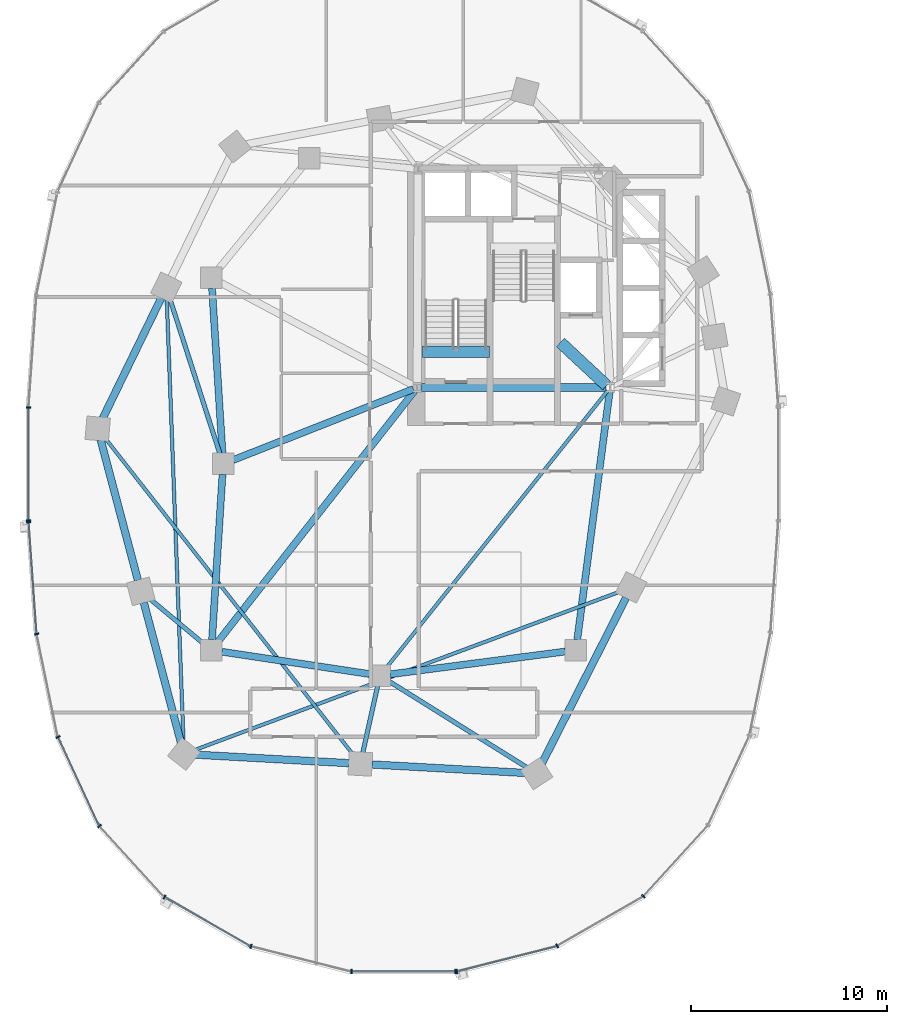
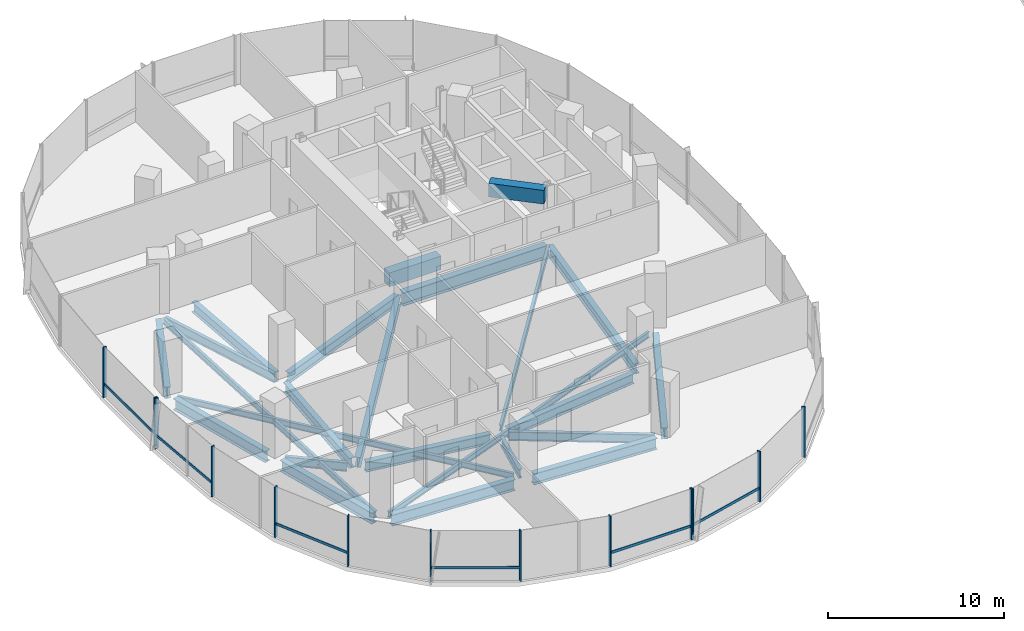
# One storey, part 2 of 22: 24 beams, 19 members, 3 elements without a shape of their own.
"""IFC4 building model written with IfcOpenShell, lengths in metres."""

from ifc_helpers import new_model, si_unit, direction, frame, origin, origin_2d, place, context, subcontext, project, spatial, rectangle, i_section, extrude, material, material_profile, profile_set, type_object, element, aggregate, save


model = new_model("IFC4")

# Units and contexts
model_context = context("Model", 3, precision=1e-05, world=origin(), true_north=direction((0.0, 1.0)))
body_context = subcontext(model_context, "Body", "Model", "MODEL_VIEW")
ifc_project = project(units=[si_unit("LENGTHUNIT", "METRE"), si_unit("AREAUNIT", "SQUARE_METRE"), si_unit("VOLUMEUNIT", "CUBIC_METRE"), si_unit("PLANEANGLEUNIT", "RADIAN"), si_unit("MASSUNIT", "GRAM", prefix="KILO"), si_unit("THERMODYNAMICTEMPERATUREUNIT", "KELVIN"), si_unit("POWERUNIT", "WATT")], contexts=[model_context])

# Site, building, storey
site_placement = place(None, origin())
site = spatial("IfcSite", under=ifc_project, at=site_placement, CompositionType="ELEMENT")
building_placement = place(site_placement, origin())
building = spatial("IfcBuilding", under=site, at=building_placement, Name="Cundina Bronze Exchange", CompositionType="ELEMENT")
storey_placement = place(building_placement, frame((0.0, 0.0, 35.39990234375)))
storey = spatial("IfcBuildingStorey", under=building, at=storey_placement, Name="L08", CompositionType="ELEMENT", Elevation=35.39990234375)

# Beams
ifc_material_1 = material(Name="Concrete C60/75", Category="concrete")
ifc_material_profile_1 = material_profile(ifc_material_1, rectangle(XDim=0.60009765625, YDim=0.949951171875, at=origin_2d()), Name="RC600X950", Category="concrete")
ifc_profile_set_1 = profile_set([ifc_material_profile_1], Name="Concrete C60/75")
beam_type_1 = type_object("IfcBeamType", Name="BM-COUP-RC950", PredefinedType="LINTEL", material=ifc_profile_set_1)
beam_1_placement = place(storey_placement, frame((-31.02001953125, 5.719970703125, -0.474853515625), z_axis=(1.0, 0.0, 0.0), x_axis=(0.0, 1.0, 0.0)))
element("IfcBeam", 1, at=beam_1_placement, inside=storey, type_object=beam_type_1, Name="L08 Stair W1 Landing Header Beam", PredefinedType="LINTEL", context=body_context, shape_type="SweptSolid", body=[
    extrude(rectangle(XDim=0.60009765625, YDim=0.949951171875, at=origin_2d()), origin(), (0.0, 0.0, 1.0), 3.39990234375),
])
beam_2_placement = place(storey_placement, frame((-23.989990234375, 6.199951171875, 3.025146484375), z_axis=(0.731490439815, -0.681851696822, 0.0), x_axis=(0.681851696822, 0.731490439815, 0.0)))
element("IfcBeam", 2, at=beam_2_placement, inside=storey, type_object=beam_type_1, Name="L08 W Core Shear Coupling Lintel Beam", PredefinedType="LINTEL", context=body_context, shape_type="SweptSolid", body=[
    extrude(rectangle(XDim=0.60009765625, YDim=0.949951171875, at=origin_2d()), origin(), (0.0, 0.0, 1.0), 3.226318359375),
])
ifc_material_2 = material(Name="Steel ASTM A992 Grade 50", Category="steel")
ifc_material_profile_2 = material_profile(ifc_material_2, i_section(OverallWidth=0.22998046875, OverallDepth=0.616943359375, WebThickness=0.01318359375, FlangeThickness=0.022216796875, FilletRadius=0.013916015625, at=origin_2d()), Name="W24X94", Category="steel")
ifc_profile_set_2 = profile_set([ifc_material_profile_2], Name="Steel ASTM A992 Grade 50")
beam_type_2 = type_object("IfcBeamType", Name="BM-FLR-W24B", PredefinedType="BEAM", material=ifc_profile_set_2)
beam_3_placement = place(storey_placement, frame((-41.364990234375, 0.51220703125, -0.6083984375), z_axis=(-0.306706454167, 0.951804155787, 0.0), x_axis=(-0.951804155787, -0.306706454167, 0.0)))
element("IfcBeam", 3, at=beam_3_placement, inside=storey, type_object=beam_type_2, Name="L08 Leg W Radial Floor Beam 07", PredefinedType="BEAM", context=body_context, shape_type="SweptSolid", body=[
    extrude(i_section(OverallWidth=0.22998046875, OverallDepth=0.616943359375, WebThickness=0.01318359375, FlangeThickness=0.022216796875, FilletRadius=0.013916015625, at=origin_2d()), origin(), (0.0, 0.0, 1.0), 8.329345703125),
])
beam_4_placement = place(storey_placement, frame((-42.21337890625, -9.155517578125, -0.6083984375), z_axis=(-0.768221279597, 0.640184399664, 0.0), x_axis=(-0.640184399664, -0.768221279597, 0.0)))
element("IfcBeam", 4, at=beam_4_placement, inside=storey, type_object=beam_type_2, Name="L08 Leg W Radial Floor Beam 09", PredefinedType="BEAM", context=body_context, shape_type="SweptSolid", body=[
    extrude(i_section(OverallWidth=0.22998046875, OverallDepth=0.616943359375, WebThickness=0.01318359375, FlangeThickness=0.022216796875, FilletRadius=0.013916015625, at=origin_2d()), origin(), (0.0, 0.0, 1.0), 3.56005859375),
])
beam_5_placement = place(storey_placement, frame((-33.316650390625, -11.3251953125, -0.6083984375), z_axis=(-0.216960137628, -0.976180464197, 0.0), x_axis=(0.976180464197, -0.216960137628, 0.0)))
element("IfcBeam", 5, at=beam_5_placement, inside=storey, type_object=beam_type_2, Name="L08 Leg W Radial Floor Beam 11", PredefinedType="BEAM", context=body_context, shape_type="SweptSolid", body=[
    extrude(i_section(OverallWidth=0.22998046875, OverallDepth=0.616943359375, WebThickness=0.01318359375, FlangeThickness=0.022216796875, FilletRadius=0.013916015625, at=origin_2d()), origin(), (0.0, 0.0, 1.0), 3.48388671875),
])
beam_6_placement = place(storey_placement, frame((-32.743896484375, -11.085205078125, -0.6083984375), z_axis=(0.848014812458, -0.529972525563, 0.0), x_axis=(0.529972525563, 0.848014812458, 0.0)))
element("IfcBeam", 6, at=beam_6_placement, inside=storey, type_object=beam_type_2, Name="L08 Leg W Radial Floor Beam 12", PredefinedType="BEAM", context=body_context, shape_type="SweptSolid", body=[
    extrude(i_section(OverallWidth=0.22998046875, OverallDepth=0.616943359375, WebThickness=0.01318359375, FlangeThickness=0.022216796875, FilletRadius=0.013916015625, at=origin_2d()), origin(), (0.0, 0.0, 1.0), 8.30810546875),
])
ifc_material_profile_3 = material_profile(ifc_material_2, i_section(OverallWidth=0.178955078125, OverallDepth=0.409912109375, WebThickness=0.0087890625, FlangeThickness=0.014404296875, FilletRadius=0.010986328125, at=origin_2d()), Name="W16X45", Category="steel")
ifc_profile_set_3 = profile_set([ifc_material_profile_3], Name="Steel ASTM A992 Grade 50")
beam_type_3 = type_object("IfcBeamType", Name="BM-JST-W16", PredefinedType="JOIST", material=ifc_profile_set_3)
beam_7_placement = place(storey_placement, frame((-21.577392578125, 3.740478515625, -0.5048828125), z_axis=(-0.62436887964, -0.781129632095, 0.0), x_axis=(0.781129632095, -0.62436887964, 0.0)))
element("IfcBeam", 7, at=beam_7_placement, inside=storey, type_object=beam_type_3, Name="L08 W Interior Core-to-Ring Joist 2", PredefinedType="JOIST", context=body_context, shape_type="SweptSolid", body=[
    extrude(i_section(OverallWidth=0.178955078125, OverallDepth=0.409912109375, WebThickness=0.0087890625, FlangeThickness=0.014404296875, FilletRadius=0.010986328125, at=origin_2d()), origin(), (0.0, 0.0, 1.0), 18.076904296875),
])
beam_8_placement = place(storey_placement, frame((-44.077880859375, 8.412353515625, -0.5048828125), z_axis=(0.037794949147, -0.999285515666, 0.0), x_axis=(0.999285515666, 0.037794949147, 0.0)))
element("IfcBeam", 8, at=beam_8_placement, inside=storey, type_object=beam_type_3, Name="L08 Leg W Lobe Floor Joist 07-10", PredefinedType="JOIST", context=body_context, shape_type="SweptSolid", body=[
    extrude(i_section(OverallWidth=0.178955078125, OverallDepth=0.409912109375, WebThickness=0.0087890625, FlangeThickness=0.014404296875, FilletRadius=0.010986328125, at=origin_2d()), origin(), (0.0, 0.0, 1.0), 22.640869140625),
])
beam_9_placement = place(storey_placement, frame((-47.2373046875, 1.337158203125, -0.5048828125), z_axis=(0.616803089524, -0.787117493614, 0.0), x_axis=(0.787117493614, 0.616803089524, 0.0)))
element("IfcBeam", 9, at=beam_9_placement, inside=storey, type_object=beam_type_3, Name="L08 Leg W Lobe Floor Joist 08-11", PredefinedType="JOIST", context=body_context, shape_type="SweptSolid", body=[
    extrude(i_section(OverallWidth=0.178955078125, OverallDepth=0.409912109375, WebThickness=0.0087890625, FlangeThickness=0.014404296875, FilletRadius=0.010986328125, at=origin_2d()), origin(), (0.0, 0.0, 1.0), 20.548828125),
])
beam_10_placement = place(storey_placement, frame((-42.64892578125, -14.5947265625, -0.5048828125), z_axis=(0.937127912449, 0.348986068074, 0.0), x_axis=(-0.348986068074, 0.937127912449, 0.0)))
element("IfcBeam", 10, at=beam_10_placement, inside=storey, type_object=beam_type_3, Name="L08 Leg W Lobe Floor Joist 10-13", PredefinedType="JOIST", context=body_context, shape_type="SweptSolid", body=[
    extrude(i_section(OverallWidth=0.178955078125, OverallDepth=0.409912109375, WebThickness=0.0087890625, FlangeThickness=0.014404296875, FilletRadius=0.010986328125, at=origin_2d()), origin(), (0.0, 0.0, 1.0), 23.18017578125),
])
ifc_material_profile_4 = material_profile(ifc_material_2, i_section(OverallWidth=0.35498046875, OverallDepth=0.695068359375, WebThickness=0.015380859375, FlangeThickness=0.02490234375, FilletRadius=0.01806640625, at=origin_2d()), Name="W27X146", Category="steel")
ifc_profile_set_4 = profile_set([ifc_material_profile_4], Name="Steel ASTM A992 Grade 50")
beam_type_4 = type_object("IfcBeamType", Name="BM-RING-W27", PredefinedType="USERDEFINED", material=ifc_profile_set_4)
for number, where, z_axis, x_axis, name in (
    (11, (-41.76611328125, 8.963134765625, -0.6474609375), (0.06303715519, -0.998011180832, 0.0), (0.998011180832, 0.06303715519, 0.0), "L08 W Inner Structural Ring Girder 03"),
    (12, (-41.23388671875, -0.536865234375, -0.6474609375), (-0.06303715519, -0.998011180832, 0.0), (0.998011180832, -0.06303715519, 0.0), "L08 W Inner Structural Ring Girder 04"),
):
    element("IfcBeam", number, at=place(storey_placement, frame(where, z_axis=z_axis, x_axis=x_axis)), inside=storey, type_object=beam_type_4, Name=name, ObjectType="GIRDER", PredefinedType="USERDEFINED", context=body_context, shape_type="SweptSolid", body=[
        extrude(i_section(OverallWidth=0.35498046875, OverallDepth=0.695068359375, WebThickness=0.015380859375, FlangeThickness=0.02490234375, FilletRadius=0.01806640625, at=origin_2d()), origin(), (0.0, 0.0, 1.0), 8.443115234375),
    ])
beam_11_placement = place(storey_placement, frame((-41.26806640625, -9.580322265625, -0.6474609375), z_axis=(0.988767489563, -0.149461873341, 0.0), x_axis=(0.149461873341, 0.988767489563, 0.0)))
element("IfcBeam", 13, at=beam_11_placement, inside=storey, type_object=beam_type_4, Name="L08 W Inner Structural Ring Girder 05", ObjectType="GIRDER", PredefinedType="USERDEFINED", context=body_context, shape_type="SweptSolid", body=[
    extrude(i_section(OverallWidth=0.35498046875, OverallDepth=0.695068359375, WebThickness=0.015380859375, FlangeThickness=0.02490234375, FilletRadius=0.01806640625, at=origin_2d()), origin(), (0.0, 0.0, 1.0), 7.621826171875),
])
beam_12_placement = place(storey_placement, frame((-32.66650390625, -10.730712890625, -0.6474609375), z_axis=(0.991654577907, 0.128923225666, 0.0), x_axis=(-0.128923225666, 0.991654577907, 0.0)))
element("IfcBeam", 14, at=beam_12_placement, inside=storey, type_object=beam_type_4, Name="L08 W Inner Structural Ring Girder 06", ObjectType="GIRDER", PredefinedType="USERDEFINED", context=body_context, shape_type="SweptSolid", body=[
    extrude(i_section(OverallWidth=0.35498046875, OverallDepth=0.695068359375, WebThickness=0.015380859375, FlangeThickness=0.02490234375, FilletRadius=0.01806640625, at=origin_2d()), origin(), (0.0, 0.0, 1.0), 9.00830078125),
])
beam_13_placement = place(storey_placement, frame((-23.13037109375, -8.966552734375, -0.6474609375), z_axis=(0.129507526533, 0.99157843894, 0.0), x_axis=(-0.99157843894, 0.129507526533, 0.0)))
element("IfcBeam", 15, at=beam_13_placement, inside=storey, type_object=beam_type_4, Name="L08 W Inner Structural Ring Girder 07", ObjectType="GIRDER", PredefinedType="USERDEFINED", context=body_context, shape_type="SweptSolid", body=[
    extrude(i_section(OverallWidth=0.35498046875, OverallDepth=0.695068359375, WebThickness=0.015380859375, FlangeThickness=0.02490234375, FilletRadius=0.01806640625, at=origin_2d()), origin(), (0.0, 0.0, 1.0), 12.77197265625),
])
beam_14_placement = place(storey_placement, frame((-31.48974609375, 3.8251953125, -0.6474609375), z_axis=(-0.930413235418, -0.366512225388, 0.0), x_axis=(0.366512225388, -0.930413235418, 0.0)))
element("IfcBeam", 16, at=beam_14_placement, inside=storey, type_object=beam_type_4, Name="L08 W Core-to-Waist Tie Beam 1", ObjectType="GIRDER", PredefinedType="USERDEFINED", context=body_context, shape_type="SweptSolid", body=[
    extrude(i_section(OverallWidth=0.35498046875, OverallDepth=0.695068359375, WebThickness=0.015380859375, FlangeThickness=0.02490234375, FilletRadius=0.01806640625, at=origin_2d()), origin(), (0.0, 0.0, 1.0), 9.8984375),
])
beam_15_placement = place(storey_placement, frame((-31.42578125, 3.739501953125, -0.6474609375), z_axis=(-0.616789275748, -0.787128318206, 0.0), x_axis=(0.787128318206, -0.616789275748, 0.0)))
element("IfcBeam", 17, at=beam_15_placement, inside=storey, type_object=beam_type_4, Name="L08 W Core-to-Waist Tie Beam 3", ObjectType="GIRDER", PredefinedType="USERDEFINED", context=body_context, shape_type="SweptSolid", body=[
    extrude(i_section(OverallWidth=0.35498046875, OverallDepth=0.695068359375, WebThickness=0.015380859375, FlangeThickness=0.02490234375, FilletRadius=0.01806640625, at=origin_2d()), origin(), (0.0, 0.0, 1.0), 16.281982421875),
])
ifc_material_profile_5 = material_profile(ifc_material_2, i_section(OverallWidth=0.381103515625, OverallDepth=0.77294921875, WebThickness=0.0166015625, FlangeThickness=0.027099609375, FilletRadius=0.01904296875, at=origin_2d()), Name="W30X173", Category="steel")
ifc_profile_set_5 = profile_set([ifc_material_profile_5], Name="Steel ASTM A992 Grade 50")
beam_type_5 = type_object("IfcBeamType", Name="BM-RING-W30", PredefinedType="USERDEFINED", material=ifc_profile_set_5)
beam_16_placement = place(storey_placement, frame((-44.357177734375, 8.47119140625, -0.6865234375), z_axis=(-0.437190698904, -0.899368830231, 0.0), x_axis=(0.899368830231, -0.437190698904, 0.0)))
element("IfcBeam", 18, at=beam_16_placement, inside=storey, type_object=beam_type_5, Name="L08 W Perimeter Ring Girder 07", ObjectType="GIRDER", PredefinedType="USERDEFINED", context=body_context, shape_type="SweptSolid", body=[
    extrude(i_section(OverallWidth=0.381103515625, OverallDepth=0.77294921875, WebThickness=0.0166015625, FlangeThickness=0.027099609375, FilletRadius=0.01904296875, at=origin_2d()), origin(), (0.0, 0.0, 1.0), 6.82958984375),
])
for number, where, z_axis, x_axis, name in (
    (19, (-47.44921875, 1.231689453125, -0.6865234375), (0.256177785604, -0.966629682021, 0.0), (0.966629682021, 0.256177785604, 0.0), "L08 W Perimeter Ring Girder 08"),
    (20, (-45.249267578125, -7.068359375, -0.6865234375), (0.256208567826, -0.966621523541, 0.0), (0.966621523541, 0.256208567826, 0.0), "L08 W Perimeter Ring Girder 09"),
):
    element("IfcBeam", number, at=place(storey_placement, frame(where, z_axis=z_axis, x_axis=x_axis)), inside=storey, type_object=beam_type_5, Name=name, ObjectType="GIRDER", PredefinedType="USERDEFINED", context=body_context, shape_type="SweptSolid", body=[
        extrude(i_section(OverallWidth=0.381103515625, OverallDepth=0.77294921875, WebThickness=0.0166015625, FlangeThickness=0.027099609375, FilletRadius=0.01904296875, at=origin_2d()), origin(), (0.0, 0.0, 1.0), 7.41064453125),
    ])
for number, where, z_axis, x_axis, name in (
    (21, (-42.61279296875, -14.83251953125, -0.6865234375), (0.998459969805, -0.055476920391, 0.0), (0.055476920391, 0.998459969805, 0.0), "L08 W Perimeter Ring Girder 10"),
    (22, (-33.61279296875, -15.33251953125, -0.6865234375), (0.998459969805, -0.055476920391, 0.0), (0.055476920391, 0.998459969805, 0.0), "L08 W Perimeter Ring Girder 11"),
):
    element("IfcBeam", number, at=place(storey_placement, frame(where, z_axis=z_axis, x_axis=x_axis)), inside=storey, type_object=beam_type_5, Name=name, ObjectType="GIRDER", PredefinedType="USERDEFINED", context=body_context, shape_type="SweptSolid", body=[
        extrude(i_section(OverallWidth=0.381103515625, OverallDepth=0.77294921875, WebThickness=0.0166015625, FlangeThickness=0.027099609375, FilletRadius=0.01904296875, at=origin_2d()), origin(), (0.0, 0.0, 1.0), 7.837646484375),
    ])
beam_17_placement = place(storey_placement, frame((-24.93359375, -15.275634765625, -0.6865234375), z_axis=(0.452819633606, 0.891602141889, 0.0), x_axis=(-0.891602141889, 0.452819633606, 0.0)))
element("IfcBeam", 23, at=beam_17_placement, inside=storey, type_object=beam_type_5, Name="L08 W Perimeter Ring Girder 12", ObjectType="GIRDER", PredefinedType="USERDEFINED", context=body_context, shape_type="SweptSolid", body=[
    extrude(i_section(OverallWidth=0.381103515625, OverallDepth=0.77294921875, WebThickness=0.0166015625, FlangeThickness=0.027099609375, FilletRadius=0.01904296875, at=origin_2d()), origin(), (0.0, 0.0, 1.0), 9.47900390625),
])
ifc_material_profile_6 = material_profile(ifc_material_2, i_section(OverallWidth=0.41796875, OverallDepth=0.927001953125, WebThickness=0.019287109375, FlangeThickness=0.031982421875, FilletRadius=0.02392578125, at=origin_2d()), Name="W36X231", Category="steel")
ifc_profile_set_6 = profile_set([ifc_material_profile_6], Name="Steel ASTM A992 Grade 50")
beam_type_6 = type_object("IfcBeamType", Name="BM-WRN-W36B", PredefinedType="USERDEFINED", material=ifc_profile_set_6)
beam_18_placement = place(storey_placement, frame((-31.095947265625, 3.89990234375, -0.763427734375), z_axis=(1.0, 0.0, 0.0), x_axis=(0.0, 1.0, 0.0)))
element("IfcBeam", 24, at=beam_18_placement, inside=storey, type_object=beam_type_6, Name="L08 W Core Perimeter Tie Girder 1", ObjectType="GIRDER", PredefinedType="USERDEFINED", context=body_context, shape_type="SweptSolid", body=[
    extrude(i_section(OverallWidth=0.41796875, OverallDepth=0.927001953125, WebThickness=0.019287109375, FlangeThickness=0.031982421875, FilletRadius=0.02392578125, at=origin_2d()), origin(), (0.0, 0.0, 1.0), 9.44189453125),
])

# Curtain wall, members
ifc_material_3 = material(Name="Anodised Bronze Aluminium 6063-T6", Category="aluminium")
curtain_wall_type = type_object("IfcCurtainWallType", Name="CWS-TRD-LOW", PredefinedType="NOTDEFINED", material=ifc_material_3)
curtain_wall_1_placement = place(storey_placement, origin())
curtain_wall_1 = element("IfcCurtainWall", 25, at=curtain_wall_1_placement, inside=storey, type_object=curtain_wall_type, Name="L08 CW-02 Curtain Wall Run CWR-L08-W2", PredefinedType="NOTDEFINED")
ifc_material_profile_7 = material_profile(ifc_material_3, rectangle(XDim=0.074951171875, YDim=0.219970703125, at=origin_2d()), Name="AL75X220", Category="aluminium")
ifc_profile_set_7 = profile_set([ifc_material_profile_7], Name="Anodised Bronze Aluminium 6063-T6")
member_type_1 = type_object("IfcMemberType", Name="CWM-MUL-220", PredefinedType="MULLION", material=ifc_profile_set_7)
member_1_placement = place(storey_placement, frame((-51.1279296875, 2.880615234375, 0.0), z_axis=(0.0, 0.0, 1.0), x_axis=(0.0, -1.0, 0.0)))
member_1 = element("IfcMember", 26, at=member_1_placement, type_object=member_type_1, Name="CW-02 Mullion 7", PredefinedType="MULLION", context=body_context, shape_type="SweptSolid", body=[
    extrude(rectangle(XDim=0.074951171875, YDim=0.219970703125, at=origin_2d()), origin(), (0.0, 0.0, 1.0), 3.5),
])
member_2_placement = place(storey_placement, frame((-51.1279296875, -2.880615234375, 0.0), z_axis=(0.0, 0.0, 1.0), x_axis=(0.0, -1.0, 0.0)))
member_2 = element("IfcMember", 27, at=member_2_placement, type_object=member_type_1, Name="CW-02 End Mullion", PredefinedType="MULLION", context=body_context, shape_type="SweptSolid", body=[
    extrude(rectangle(XDim=0.074951171875, YDim=0.219970703125, at=origin_2d()), origin(), (0.0, 0.0, 1.0), 3.5),
])

curtain_wall_2_placement = place(storey_placement, origin())
curtain_wall_2 = element("IfcCurtainWall", 28, at=curtain_wall_2_placement, inside=storey, type_object=curtain_wall_type, Name="L08 CW-02 Curtain Wall Run CWR-L08-W3", PredefinedType="NOTDEFINED")
member_3_placement = place(storey_placement, frame((-51.12451171875, -2.976318359375, 0.0), z_axis=(0.0, 0.0, 1.0), x_axis=(0.070278787473, -0.997527389113, 0.0)))
member_3 = element("IfcMember", 29, at=member_3_placement, type_object=member_type_1, Name="CW-02 Mullion 1", PredefinedType="MULLION", context=body_context, shape_type="SweptSolid", body=[
    extrude(rectangle(XDim=0.074951171875, YDim=0.219970703125, at=origin_2d()), origin(), (0.0, 0.0, 1.0), 3.5),
])
member_4_placement = place(storey_placement, frame((-50.717041015625, -8.67822265625, 0.0), z_axis=(0.0, 0.0, 1.0), x_axis=(0.201419845156, -0.979505000486, 0.0)))
member_4 = element("IfcMember", 30, at=member_4_placement, type_object=member_type_1, Name="CW-02 Mullion 2", PredefinedType="MULLION", context=body_context, shape_type="SweptSolid", body=[
    extrude(rectangle(XDim=0.074951171875, YDim=0.219970703125, at=origin_2d()), origin(), (0.0, 0.0, 1.0), 3.5),
])
member_5_placement = place(storey_placement, frame((-49.6279296875, -13.931884765625, 0.0), z_axis=(0.0, 0.0, 1.0), x_axis=(0.42087749791, -0.907117485088, 0.0)))
member_5 = element("IfcMember", 31, at=member_5_placement, type_object=member_type_1, Name="CW-02 Mullion 3", PredefinedType="MULLION", context=body_context, shape_type="SweptSolid", body=[
    extrude(rectangle(XDim=0.074951171875, YDim=0.219970703125, at=origin_2d()), origin(), (0.0, 0.0, 1.0), 3.5),
])
member_6_placement = place(storey_placement, frame((-47.508544921875, -18.47705078125, 0.0), z_axis=(0.0, 0.0, 1.0), x_axis=(0.674302387584, -0.738455340626, 0.0)))
member_6 = element("IfcMember", 32, at=member_6_placement, type_object=member_type_1, Name="CW-02 Mullion 4", PredefinedType="MULLION", context=body_context, shape_type="SweptSolid", body=[
    extrude(rectangle(XDim=0.074951171875, YDim=0.219970703125, at=origin_2d()), origin(), (0.0, 0.0, 1.0), 3.5),
])
member_7_placement = place(storey_placement, frame((-44.189697265625, -22.097412109375, 0.0), z_axis=(0.0, 0.0, 1.0), x_axis=(0.867070701164, -0.498185105339, 0.0)))
member_7 = element("IfcMember", 33, at=member_7_placement, type_object=member_type_1, Name="CW-02 Mullion 5", PredefinedType="MULLION", context=body_context, shape_type="SweptSolid", body=[
    extrude(rectangle(XDim=0.074951171875, YDim=0.219970703125, at=origin_2d()), origin(), (0.0, 0.0, 1.0), 3.5),
])
member_8_placement = place(storey_placement, frame((-39.78515625, -24.61669921875, 0.0), z_axis=(0.0, 0.0, 1.0), x_axis=(0.969488149345, -0.245138182011, 0.0)))
member_8 = element("IfcMember", 34, at=member_8_placement, type_object=member_type_1, Name="CW-02 Mullion 6", PredefinedType="MULLION", context=body_context, shape_type="SweptSolid", body=[
    extrude(rectangle(XDim=0.074951171875, YDim=0.219970703125, at=origin_2d()), origin(), (0.0, 0.0, 1.0), 3.5),
])
member_9_placement = place(storey_placement, frame((-34.654541015625, -25.905029296875, 0.0), z_axis=(0.0, 0.0, 1.0), x_axis=(1.0, 0.0, 0.0)))
member_9 = element("IfcMember", 35, at=member_9_placement, type_object=member_type_1, Name="CW-02 Mullion 7", PredefinedType="MULLION", context=body_context, shape_type="SweptSolid", body=[
    extrude(rectangle(XDim=0.074951171875, YDim=0.219970703125, at=origin_2d()), origin(), (0.0, 0.0, 1.0), 3.5),
])
member_10_placement = place(storey_placement, frame((-29.345458984375, -25.905029296875, 0.0), z_axis=(0.0, 0.0, 1.0), x_axis=(1.0, 0.0, 0.0)))
member_10 = element("IfcMember", 36, at=member_10_placement, type_object=member_type_1, Name="CW-02 End Mullion", PredefinedType="MULLION", context=body_context, shape_type="SweptSolid", body=[
    extrude(rectangle(XDim=0.074951171875, YDim=0.219970703125, at=origin_2d()), origin(), (0.0, 0.0, 1.0), 3.5),
])

curtain_wall_3_placement = place(storey_placement, origin())
curtain_wall_3 = element("IfcCurtainWall", 37, at=curtain_wall_3_placement, inside=storey, type_object=curtain_wall_type, Name="L08 CW-02 Curtain Wall Run CWR-L08-W4", PredefinedType="NOTDEFINED")
member_11_placement = place(storey_placement, frame((-29.27392578125, -25.89599609375, 0.0), z_axis=(0.0, 0.0, 1.0), x_axis=(0.969488149345, 0.245138182011, 0.0)))
member_11 = element("IfcMember", 38, at=member_11_placement, type_object=member_type_1, Name="CW-02 Mullion 1", PredefinedType="MULLION", context=body_context, shape_type="SweptSolid", body=[
    extrude(rectangle(XDim=0.074951171875, YDim=0.219970703125, at=origin_2d()), origin(), (0.0, 0.0, 1.0), 3.5),
])
member_12_placement = place(storey_placement, frame((-24.151123046875, -24.591064453125, 0.0), z_axis=(0.0, 0.0, 1.0), x_axis=(0.867070701164, 0.498185105339, 0.0)))
member_12 = element("IfcMember", 39, at=member_12_placement, type_object=member_type_1, Name="CW-02 Mullion 2", PredefinedType="MULLION", context=body_context, shape_type="SweptSolid", body=[
    extrude(rectangle(XDim=0.074951171875, YDim=0.219970703125, at=origin_2d()), origin(), (0.0, 0.0, 1.0), 3.5),
])
member_13_placement = place(storey_placement, frame((-19.760498046875, -22.0576171875, 0.0), z_axis=(0.0, 0.0, 1.0), x_axis=(0.674302387584, 0.738455340626, 0.0)))
member_13 = element("IfcMember", 40, at=member_13_placement, type_object=member_type_1, Name="CW-02 Mullion 3", PredefinedType="MULLION", context=body_context, shape_type="SweptSolid", body=[
    extrude(rectangle(XDim=0.074951171875, YDim=0.219970703125, at=origin_2d()), origin(), (0.0, 0.0, 1.0), 3.5),
])

# Member
ifc_material_profile_8 = material_profile(ifc_material_3, rectangle(XDim=0.070068359375, YDim=0.179931640625, at=origin_2d()), Name="AL70X180", Category="aluminium")
ifc_profile_set_8 = profile_set([ifc_material_profile_8], Name="Anodised Bronze Aluminium 6063-T6")
member_type_2 = type_object("IfcMemberType", Name="CWM-TRN-180", PredefinedType="USERDEFINED", material=ifc_profile_set_8)
member_14_placement = place(storey_placement, frame((-51.1279296875, 2.839111328125, 0.920166015625), z_axis=(0.0, -1.0, 0.0), x_axis=(1.0, 0.0, 0.0)))
member_14 = element("IfcMember", 41, at=member_14_placement, type_object=member_type_2, Name="CW-02 Spandrel Transom 7", ObjectType="TRANSOM", PredefinedType="USERDEFINED", context=body_context, shape_type="SweptSolid", body=[
    extrude(rectangle(XDim=0.070068359375, YDim=0.179931640625, at=origin_2d()), origin(), (0.0, 0.0, 1.0), 5.67822265625),
])

aggregate(curtain_wall_1, [member_1, member_2, member_14])

member_15_placement = place(storey_placement, frame((-51.12158203125, -3.017333984375, 0.920166015625), z_axis=(0.070260714471, -0.997528662246, 0.0), x_axis=(0.997528662246, 0.070260714471, 0.0)))
member_15 = element("IfcMember", 42, at=member_15_placement, type_object=member_type_2, Name="CW-02 Spandrel Transom 1", ObjectType="TRANSOM", PredefinedType="USERDEFINED", context=body_context, shape_type="SweptSolid", body=[
    extrude(rectangle(XDim=0.070068359375, YDim=0.179931640625, at=origin_2d()), origin(), (0.0, 0.0, 1.0), 5.629150390625),
])

member_16_placement = place(storey_placement, frame((-49.610595703125, -13.96923828125, 0.920166015625), z_axis=(0.420811422796, -0.907148139195, 0.0), x_axis=(0.907148139195, 0.420811422796, 0.0)))
member_16 = element("IfcMember", 43, at=member_16_placement, type_object=member_type_2, Name="CW-02 Spandrel Transom 3", ObjectType="TRANSOM", PredefinedType="USERDEFINED", context=body_context, shape_type="SweptSolid", body=[
    extrude(rectangle(XDim=0.070068359375, YDim=0.179931640625, at=origin_2d()), origin(), (0.0, 0.0, 1.0), 4.95166015625),
])

member_17_placement = place(storey_placement, frame((-44.154052734375, -22.117919921875, 0.920166015625), z_axis=(0.867097475651, -0.498138502546, 0.0), x_axis=(0.498138502546, 0.867097475651, 0.0)))
member_17 = element("IfcMember", 44, at=member_17_placement, type_object=member_type_2, Name="CW-02 Spandrel Transom 5", ObjectType="TRANSOM", PredefinedType="USERDEFINED", context=body_context, shape_type="SweptSolid", body=[
    extrude(rectangle(XDim=0.070068359375, YDim=0.179931640625, at=origin_2d()), origin(), (0.0, 0.0, 1.0), 5.00634765625),
])

member_18_placement = place(storey_placement, frame((-34.61328125, -25.905029296875, 0.920166015625), z_axis=(1.0, 0.0, 0.0), x_axis=(0.0, 1.0, 0.0)))
member_18 = element("IfcMember", 45, at=member_18_placement, type_object=member_type_2, Name="CW-02 Spandrel Transom 7", ObjectType="TRANSOM", PredefinedType="USERDEFINED", context=body_context, shape_type="SweptSolid", body=[
    extrude(rectangle(XDim=0.070068359375, YDim=0.179931640625, at=origin_2d()), origin(), (0.0, 0.0, 1.0), 5.2265625),
])

aggregate(curtain_wall_2, [member_3, member_15, member_4, member_5, member_16, member_6, member_7, member_17, member_8, member_9, member_10, member_18])

member_19_placement = place(storey_placement, frame((-29.23388671875, -25.885986328125, 0.920166015625), z_axis=(0.969483968866, 0.245154714644, 0.0), x_axis=(-0.245154714644, 0.969483968866, 0.0)))
member_19 = element("IfcMember", 46, at=member_19_placement, type_object=member_type_2, Name="CW-02 Spandrel Transom 1", ObjectType="TRANSOM", PredefinedType="USERDEFINED", context=body_context, shape_type="SweptSolid", body=[
    extrude(rectangle(XDim=0.070068359375, YDim=0.179931640625, at=origin_2d()), origin(), (0.0, 0.0, 1.0), 5.21826171875),
])

aggregate(curtain_wall_3, [member_11, member_19, member_12, member_13])

save(model, "model.ifc")
